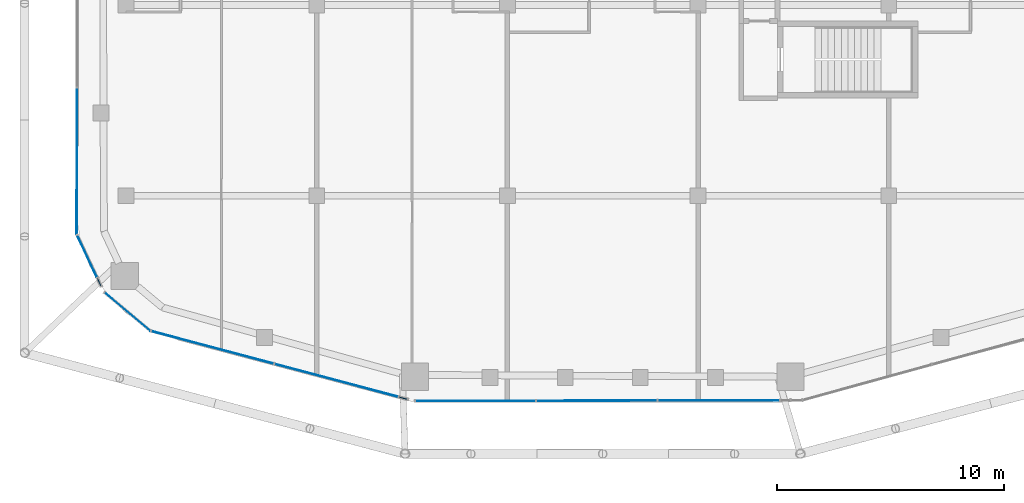
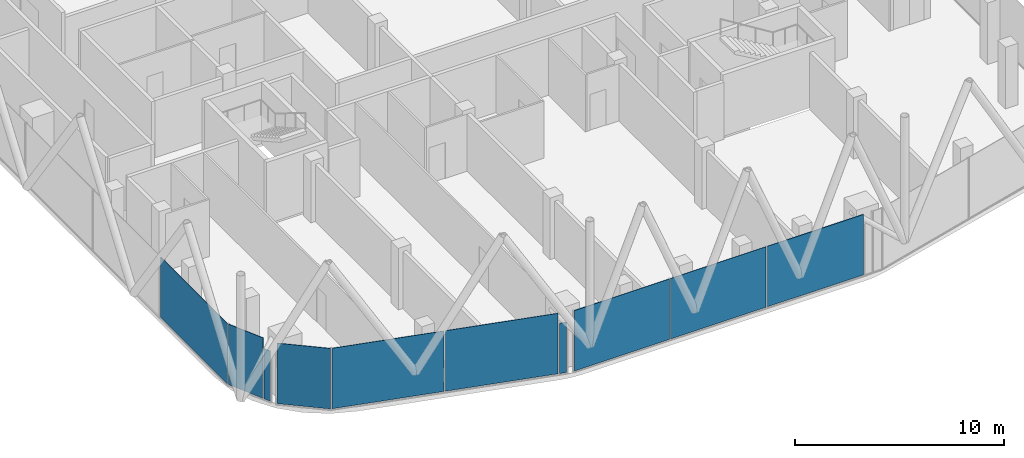
# One storey, part 15 of 27: 10 plates, 7 elements without a shape of their own.
"""IFC4 building model written with IfcOpenShell, lengths in metres."""

from ifc_helpers import new_model, si_unit, direction, frame, origin, origin_2d, place, context, subcontext, project, spatial, rectangle, extrude, material, layer, layer_set, type_object, element, aggregate, save


model = new_model("IFC4")

# Units and contexts
model_context = context("Model", 3, precision=1e-05, world=origin(), true_north=direction((0.0, 1.0)))
body_context = subcontext(model_context, "Body", "Model", "MODEL_VIEW")
ifc_project = project(units=[si_unit("LENGTHUNIT", "METRE"), si_unit("AREAUNIT", "SQUARE_METRE"), si_unit("VOLUMEUNIT", "CUBIC_METRE"), si_unit("PLANEANGLEUNIT", "RADIAN"), si_unit("MASSUNIT", "GRAM", prefix="KILO")], contexts=[model_context])

# Site, building, storey
site_placement = place(None, origin())
site = spatial("IfcSite", under=ifc_project, at=site_placement, CompositionType="ELEMENT")
building_placement = place(site_placement, origin())
building = spatial("IfcBuilding", under=site, at=building_placement, Name="Marenta Gate Hotel Tower", CompositionType="ELEMENT")
storey_placement = place(building_placement, frame((0.0, 0.0, 270.5)))
storey = spatial("IfcBuildingStorey", under=building, at=storey_placement, Name="L62", CompositionType="ELEMENT", Elevation=270.5)

# Curtain wall, plate
ifc_material_1 = material(Name="Tinted insulated glass in bronze anodised frame", Category="glass")
ifc_layer_1 = layer(ifc_material_1, 0.1201171875)
ifc_layer_set_1 = layer_set([ifc_layer_1], Name="Tinted insulated glass in bronze anodised frame")
curtain_wall_type = type_object("IfcCurtainWallType", Name="Tower unitised curtain wall CW1", PredefinedType="NOTDEFINED", material=ifc_layer_set_1)
curtain_wall_1_placement = place(storey_placement, origin())
curtain_wall_1 = element("IfcCurtainWall", 1, at=curtain_wall_1_placement, inside=storey, type_object=curtain_wall_type, Name="CW1 run G04", PredefinedType="NOTDEFINED")
ifc_material_2 = material(Name="Tinted insulated glass", Category="glass")
ifc_layer_2 = layer(ifc_material_2, 0.028076171875)
ifc_layer_set_2 = layer_set([ifc_layer_2], Name="Tinted insulated glass")
plate_type = type_object("IfcPlateType", Name="Glass panel CW1 28 mm tinted insulated unit", PredefinedType="CURTAIN_PANEL", material=ifc_layer_set_2)
plate_1_placement = place(storey_placement, frame((-23.16796875, -23.6787109375, 0.06005859375), z_axis=(0.0, 0.0, 1.0), x_axis=(-0.001566045546, -0.99999877375, 0.0)))
plate_1 = element("IfcPlate", 2, at=plate_1_placement, type_object=plate_type, Name="CW1 panel 6.1", PredefinedType="CURTAIN_PANEL", context=body_context, shape_type="SweptSolid", body=[
    extrude(rectangle(XDim=6.429931640625, YDim=0.028076171875, at=origin_2d()), origin(), (0.0, 0.0, 1.0), 3.5400390625),
])
aggregate(curtain_wall_1, [plate_1])

curtain_wall_2_placement = place(storey_placement, origin())
curtain_wall_2 = element("IfcCurtainWall", 3, at=curtain_wall_2_placement, inside=storey, type_object=curtain_wall_type, Name="CW1 run G05", PredefinedType="NOTDEFINED")
plate_2_placement = place(storey_placement, frame((-22.71923828125, -27.86474609375, 0.06005859375), z_axis=(0.0, 0.0, 1.0), x_axis=(0.423347826298, -0.905967227867, 0.0)))
plate_2 = element("IfcPlate", 4, at=plate_2_placement, type_object=plate_type, Name="CW1 panel 1.1", PredefinedType="CURTAIN_PANEL", context=body_context, shape_type="SweptSolid", body=[
    extrude(rectangle(XDim=2.023681640625, YDim=0.028076171875, at=origin_2d()), origin(), (0.0, 0.0, 1.0), 3.5400390625),
])
aggregate(curtain_wall_2, [plate_2])

curtain_wall_3_placement = place(storey_placement, origin())
curtain_wall_3 = element("IfcCurtainWall", 5, at=curtain_wall_3_placement, inside=storey, type_object=curtain_wall_type, Name="CW1 run G06", PredefinedType="NOTDEFINED")
plate_3_placement = place(storey_placement, frame((-22.189697265625, -28.998046875, 0.06005859375), z_axis=(0.0, 0.0, 1.0), x_axis=(0.423366589174, -0.905958459959, 0.0)))
plate_3 = element("IfcPlate", 6, at=plate_3_placement, type_object=plate_type, Name="CW1 panel 1.1", PredefinedType="CURTAIN_PANEL", context=body_context, shape_type="SweptSolid", body=[
    extrude(rectangle(XDim=0.35791015625, YDim=0.028076171875, at=origin_2d()), origin(), (0.0, 0.0, 1.0), 2.9404296875),
])
aggregate(curtain_wall_3, [plate_3])

curtain_wall_4_placement = place(storey_placement, origin())
curtain_wall_4 = element("IfcCurtainWall", 7, at=curtain_wall_4_placement, inside=storey, type_object=curtain_wall_type, Name="CW1 run G07", PredefinedType="NOTDEFINED")
plate_4_placement = place(storey_placement, frame((-20.93603515625, -30.316162109375, 0.06005859375), z_axis=(0.0, 0.0, 1.0), x_axis=(0.767102345594, -0.641524739495, 0.0)))
plate_4 = element("IfcPlate", 8, at=plate_4_placement, type_object=plate_type, Name="CW1 panel 1.1", PredefinedType="CURTAIN_PANEL", context=body_context, shape_type="SweptSolid", body=[
    extrude(rectangle(XDim=2.609375, YDim=0.028076171875, at=origin_2d()), origin(), (0.0, 0.0, 1.0), 3.5400390625),
])
aggregate(curtain_wall_4, [plate_4])

# Curtain wall, plates
curtain_wall_5_placement = place(storey_placement, origin())
curtain_wall_5 = element("IfcCurtainWall", 9, at=curtain_wall_5_placement, inside=storey, type_object=curtain_wall_type, Name="CW1 run G08", PredefinedType="NOTDEFINED")
plate_5_placement = place(storey_placement, frame((-17.192138671875, -31.883056640625, 0.06005859375), z_axis=(0.0, 0.0, 1.0), x_axis=(0.966374546639, -0.257138553328, 0.0)))
plate_5 = element("IfcPlate", 10, at=plate_5_placement, type_object=plate_type, Name="CW1 panel 1.1", PredefinedType="CURTAIN_PANEL", context=body_context, shape_type="SweptSolid", body=[
    extrude(rectangle(XDim=5.557373046875, YDim=0.028076171875, at=origin_2d()), origin(), (0.0, 0.0, 1.0), 3.5400390625),
])
plate_6_placement = place(storey_placement, frame((-11.734619140625, -33.335205078125, 0.06005859375), z_axis=(0.0, 0.0, 1.0), x_axis=(0.966374546639, -0.257138553328, 0.0)))
plate_6 = element("IfcPlate", 11, at=plate_6_placement, type_object=plate_type, Name="CW1 panel 2.1", PredefinedType="CURTAIN_PANEL", context=body_context, shape_type="SweptSolid", body=[
    extrude(rectangle(XDim=5.6171875, YDim=0.028076171875, at=origin_2d()), origin(), (0.0, 0.0, 1.0), 3.5400390625),
])
aggregate(curtain_wall_5, [plate_5, plate_6])

# Curtain wall, plate
curtain_wall_6_placement = place(storey_placement, origin())
curtain_wall_6 = element("IfcCurtainWall", 12, at=curtain_wall_6_placement, inside=storey, type_object=curtain_wall_type, Name="CW1 run G09", PredefinedType="NOTDEFINED")
plate_7_placement = place(storey_placement, frame((-8.791748046875, -34.1181640625, 0.06005859375), z_axis=(0.0, 0.0, 1.0), x_axis=(0.966378562379, -0.257123460956, 0.0)))
plate_7 = element("IfcPlate", 13, at=plate_7_placement, type_object=plate_type, Name="CW1 panel 1.1", PredefinedType="CURTAIN_PANEL", context=body_context, shape_type="SweptSolid", body=[
    extrude(rectangle(XDim=0.353271484375, YDim=0.028076171875, at=origin_2d()), origin(), (0.0, 0.0, 1.0), 2.9404296875),
])
aggregate(curtain_wall_6, [plate_7])

# Curtain wall, plates
curtain_wall_7_placement = place(storey_placement, origin())
curtain_wall_7 = element("IfcCurtainWall", 14, at=curtain_wall_7_placement, inside=storey, type_object=curtain_wall_type, Name="CW1 run G10", PredefinedType="NOTDEFINED")
plate_8_placement = place(storey_placement, frame((-5.6103515625, -34.241943359375, 0.06005859375), z_axis=(0.0, 0.0, 1.0), x_axis=(0.999997869675, 0.002064133083, 0.0)))
plate_8 = element("IfcPlate", 15, at=plate_8_placement, type_object=plate_type, Name="CW1 panel 1.1", PredefinedType="CURTAIN_PANEL", context=body_context, shape_type="SweptSolid", body=[
    extrude(rectangle(XDim=5.271484375, YDim=0.028076171875, at=origin_2d()), origin(), (0.0, 0.0, 1.0), 3.5400390625),
])
plate_9_placement = place(storey_placement, frame((-0.263916015625, -34.230712890625, 0.06005859375), z_axis=(0.0, 0.0, 1.0), x_axis=(0.999997869675, 0.002064133083, 0.0)))
plate_9 = element("IfcPlate", 16, at=plate_9_placement, type_object=plate_type, Name="CW1 panel 2.1", PredefinedType="CURTAIN_PANEL", context=body_context, shape_type="SweptSolid", body=[
    extrude(rectangle(XDim=5.301513671875, YDim=0.028076171875, at=origin_2d()), origin(), (0.0, 0.0, 1.0), 3.5400390625),
])
plate_10_placement = place(storey_placement, frame((5.1123046875, -34.2197265625, 0.06005859375), z_axis=(0.0, 0.0, 1.0), x_axis=(0.999997869675, 0.002064133083, 0.0)))
plate_10 = element("IfcPlate", 17, at=plate_10_placement, type_object=plate_type, Name="CW1 panel 3.1", PredefinedType="CURTAIN_PANEL", context=body_context, shape_type="SweptSolid", body=[
    extrude(rectangle(XDim=5.331298828125, YDim=0.028076171875, at=origin_2d()), origin(), (0.0, 0.0, 1.0), 3.5400390625),
])
aggregate(curtain_wall_7, [plate_8, plate_9, plate_10])

save(model, "model.ifc")
